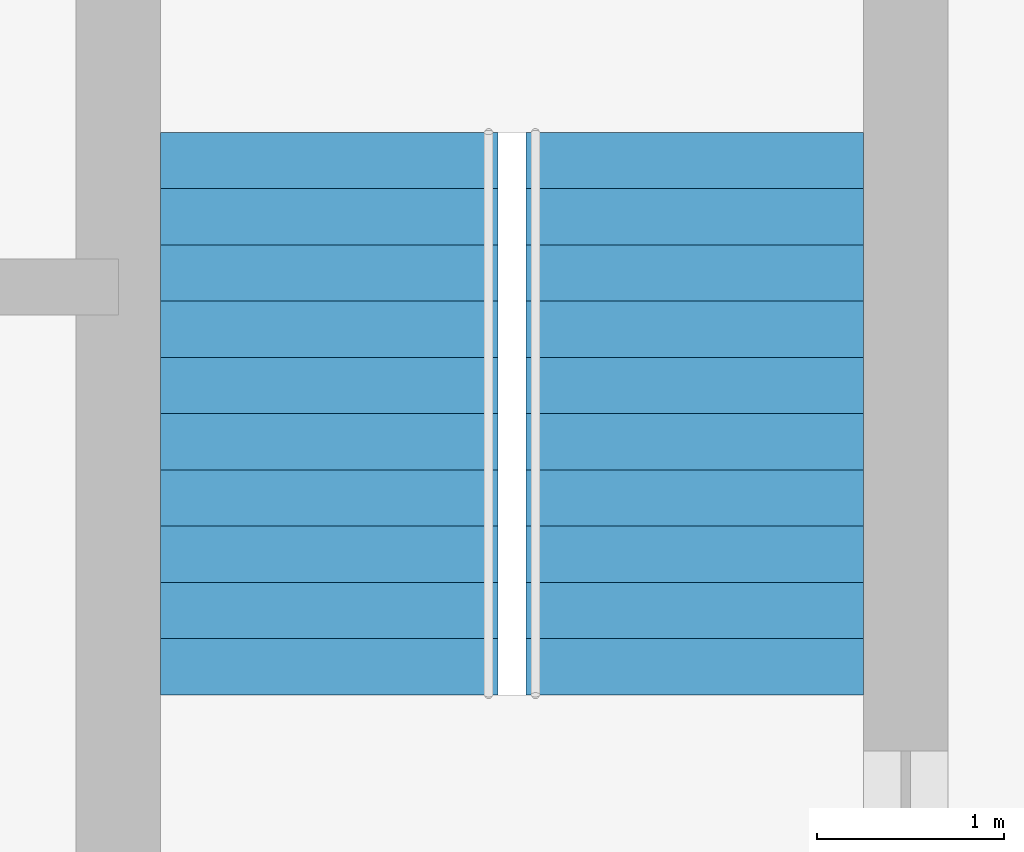
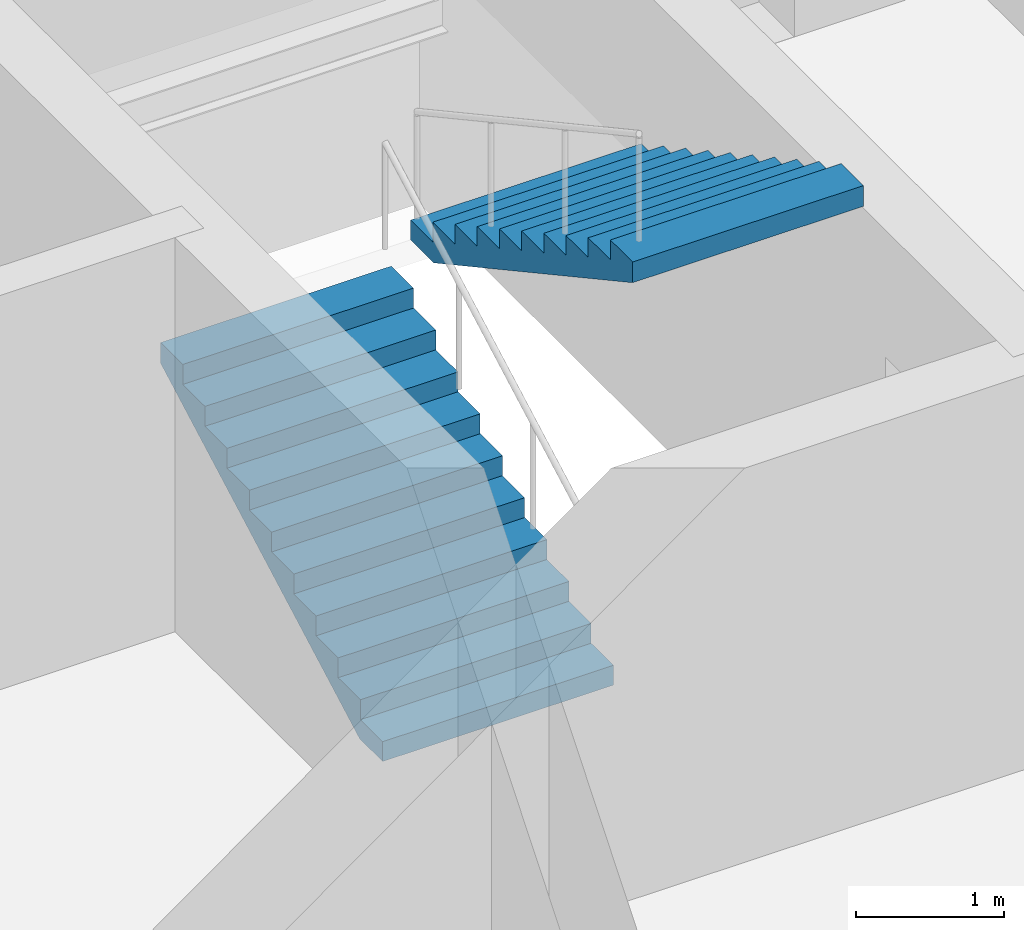
# One storey, part 13 of 14: 2 stair flights, 1 element without a shape of its own.
"""IFC4 building model written with IfcOpenShell, lengths in metres."""

from ifc_helpers import new_model, si_unit, direction, frame, origin, place, context, subcontext, project, spatial, polyline, outline, extrude, material, type_object, element, aggregate, save


model = new_model("IFC4")

# Units and contexts
model_context = context("Model", 3, precision=1e-05, world=origin(), true_north=direction((0.0, 1.0)))
body_context = subcontext(model_context, "Body", "Model", "MODEL_VIEW")
ifc_project = project(units=[si_unit("LENGTHUNIT", "METRE"), si_unit("AREAUNIT", "SQUARE_METRE"), si_unit("VOLUMEUNIT", "CUBIC_METRE"), si_unit("PLANEANGLEUNIT", "RADIAN"), si_unit("MASSUNIT", "GRAM", prefix="KILO")], contexts=[model_context])

# Site, building, storey
site_placement = place(None, origin())
site = spatial("IfcSite", under=ifc_project, at=site_placement, CompositionType="ELEMENT")
building_placement = place(site_placement, origin())
building = spatial("IfcBuilding", under=site, at=building_placement, Name="Dunama Terrace Hotel", CompositionType="ELEMENT")
storey_placement = place(building_placement, frame((0.0, 0.0, 140.39990234375)))
storey = spatial("IfcBuildingStorey", under=building, at=storey_placement, Name="L36", CompositionType="ELEMENT", Elevation=140.39990234375)

# Stair, stair flights
ifc_material_1 = material(Name="Concrete C40/50", Category="concrete")
stair_type = type_object("IfcStairType", Name="Stair ST1-3600-1800", PredefinedType="HALF_TURN_STAIR", material=ifc_material_1)
stair_placement = place(storey_placement, origin())
stair = element("IfcStair", 1, at=stair_placement, inside=storey, type_object=stair_type, Name="Stair ST1 L36", PredefinedType="HALF_TURN_STAIR")
ifc_material_2 = material(Name="Concrete C40/50", Category="concrete")
stair_flight_type = type_object("IfcStairFlightType", Name="Stair flight ST1-3600-1800", PredefinedType="STRAIGHT", material=ifc_material_2)
stair_flight_1_placement = place(storey_placement, frame((26.324951171875, 35.625, 0.0), z_axis=(0.0, 0.0, 1.0), x_axis=(0.0, 1.0, 0.0)))
stair_flight_1 = element("IfcStairFlight", 2, at=stair_flight_1_placement, type_object=stair_flight_type, Name="ST1 flight 1", NumberOfRisers=11, NumberOfTreads=10, PredefinedType="STRAIGHT", RiserHeight=0.163636364, TreadLength=0.3, context=body_context, shape_type="SweptSolid", body=[
    extrude(outline(polyline([(0.0, 0.0), (0.0, 0.16357421875), (0.300048828125, 0.16357421875), (0.300048828125, 0.327392578125), (0.60009765625, 0.327392578125), (0.60009765625, 0.490966796875), (0.89990234375, 0.490966796875), (0.89990234375, 0.654541015625), (1.199951171875, 0.654541015625), (1.199951171875, 0.818115234375), (1.5, 0.818115234375), (1.5, 0.98193359375), (1.800048828125, 0.98193359375), (1.800048828125, 1.1455078125), (2.10009765625, 1.1455078125), (2.10009765625, 1.30908203125), (2.39990234375, 1.30908203125), (2.39990234375, 1.47265625), (2.699951171875, 1.47265625), (2.699951171875, 1.636474609375), (3.0, 1.636474609375), (3.0, 1.800048828125), (3.0, 1.465576171875), (0.31298828125, 0.0), (0.0, 0.0)])), frame((0.0, 0.89990234375, 0.0), z_axis=(0.0, -1.0, 0.0), x_axis=(1.0, 0.0, 0.0)), (0.0, 0.0, 1.0), 1.800048828125),
])
stair_flight_2_placement = place(storey_placement, frame((28.27490234375, 38.625, 1.800048828125), z_axis=(0.0, 0.0, 1.0), x_axis=(0.0, -1.0, 0.0)))
stair_flight_2 = element("IfcStairFlight", 3, at=stair_flight_2_placement, type_object=stair_flight_type, Name="ST1 flight 2", NumberOfRisers=11, NumberOfTreads=10, PredefinedType="STRAIGHT", RiserHeight=0.163636364, TreadLength=0.3, context=body_context, shape_type="SweptSolid", body=[
    extrude(outline(polyline([(0.0, 0.0), (0.0, 0.16357421875), (0.300048828125, 0.16357421875), (0.300048828125, 0.327392578125), (0.60009765625, 0.327392578125), (0.60009765625, 0.490966796875), (0.89990234375, 0.490966796875), (0.89990234375, 0.654541015625), (1.199951171875, 0.654541015625), (1.199951171875, 0.818115234375), (1.5, 0.818115234375), (1.5, 0.98193359375), (1.800048828125, 0.98193359375), (1.800048828125, 1.1455078125), (2.10009765625, 1.1455078125), (2.10009765625, 1.30908203125), (2.39990234375, 1.30908203125), (2.39990234375, 1.47265625), (2.699951171875, 1.47265625), (2.699951171875, 1.636474609375), (3.0, 1.636474609375), (3.0, 1.800048828125), (3.0, 1.465576171875), (0.31298828125, 0.0), (0.0, 0.0)])), frame((0.0, 0.89990234375, 0.0), z_axis=(0.0, -1.0, 0.0), x_axis=(1.0, 0.0, 0.0)), (0.0, 0.0, 1.0), 1.800048828125),
])
aggregate(stair, [stair_flight_1, stair_flight_2])

save(model, "model.ifc")
